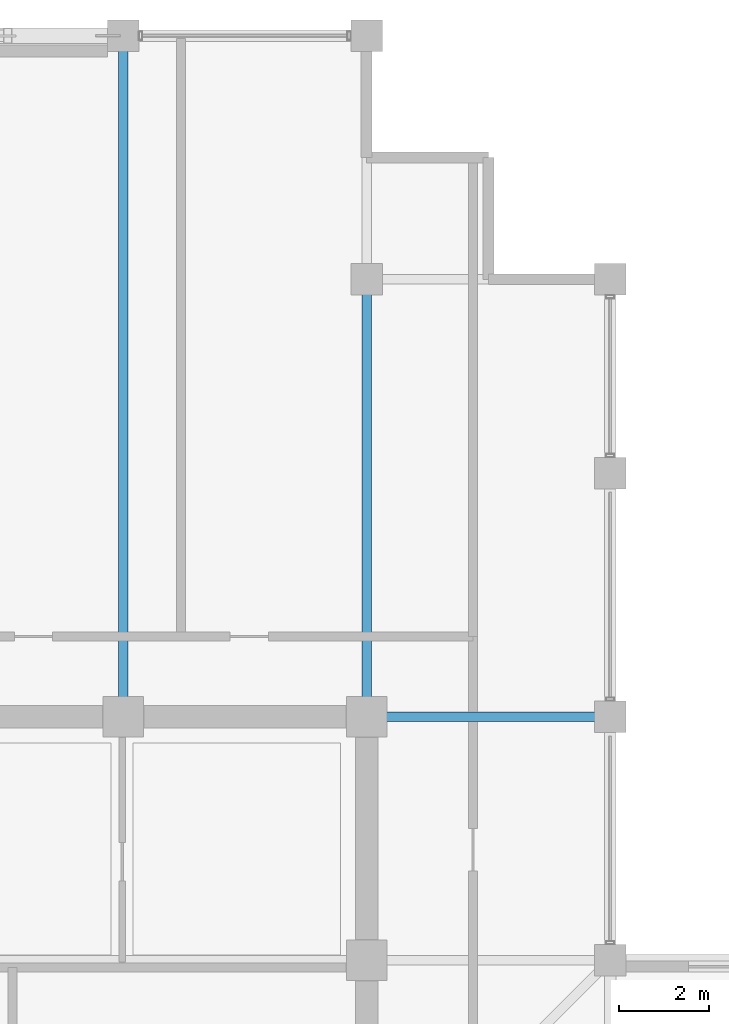
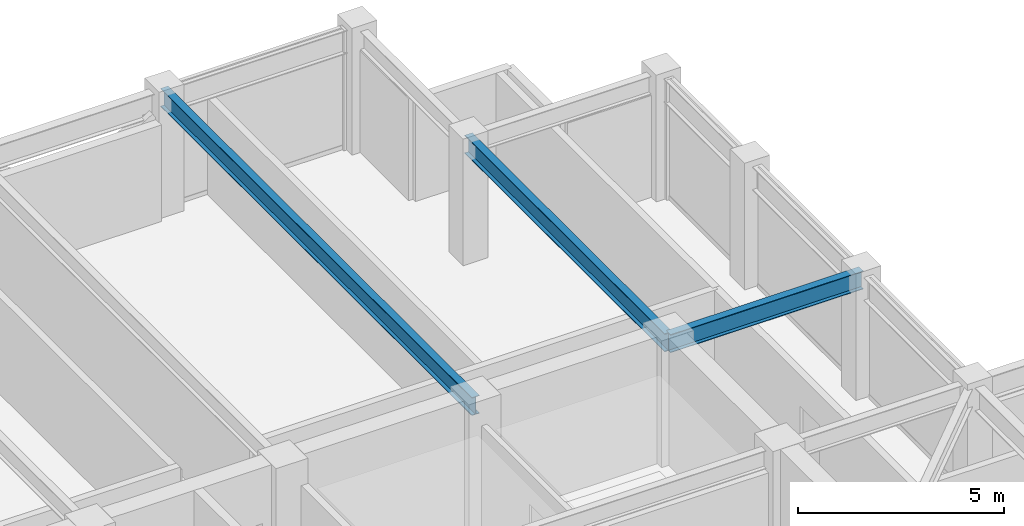
# One storey, part 18 of 30: 3 beams.
"""IFC4 building model written with IfcOpenShell, lengths in metres."""

from ifc_helpers import new_model, si_unit, direction, frame, origin, origin_2d, place, context, subcontext, project, spatial, i_section, extrude, material, material_profile, profile_set, type_object, element, save


model = new_model("IFC4")

# Units and contexts
model_context = context("Model", 3, precision=1e-05, world=origin(), true_north=direction((0.0, 1.0)))
body_context = subcontext(model_context, "Body", "Model", "MODEL_VIEW")
ifc_project = project(units=[si_unit("LENGTHUNIT", "METRE"), si_unit("AREAUNIT", "SQUARE_METRE"), si_unit("VOLUMEUNIT", "CUBIC_METRE"), si_unit("PLANEANGLEUNIT", "RADIAN"), si_unit("MASSUNIT", "GRAM", prefix="KILO")], contexts=[model_context])

# Site, building, storey
site_placement = place(None, origin())
site = spatial("IfcSite", under=ifc_project, at=site_placement, CompositionType="ELEMENT")
building_placement = place(site_placement, origin())
building = spatial("IfcBuilding", under=site, at=building_placement, Name="Surkhivell Harbour Commons", CompositionType="ELEMENT")
storey_placement = place(building_placement, frame((0.0, 0.0, 307.5)))
storey = spatial("IfcBuildingStorey", under=building, at=storey_placement, Name="L80", CompositionType="ELEMENT", Elevation=307.5)

# Beams
ifc_material = material(Name="Steel S355", Category="steel")
ifc_material_profile = material_profile(ifc_material, i_section(OverallWidth=0.2099609375, OverallDepth=0.537109375, WebThickness=0.0107421875, FlangeThickness=0.017333984375, at=origin_2d()), Name="UB533x210x101")
ifc_profile_set = profile_set([ifc_material_profile], Name="Steel S355")
beam_type = type_object("IfcBeamType", Name="BM-GRD-533B", PredefinedType="BEAM", material=ifc_profile_set)
beam_1_placement = place(storey_placement, frame((5.39990234375, 10.800048828125, 3.301513671875), z_axis=(0.0, 1.0, 0.0), x_axis=(-1.0, 0.0, 0.0)))
element("IfcBeam", 1, at=beam_1_placement, inside=storey, type_object=beam_type, Name="L80 Floor Girder (5.4,10.8)", PredefinedType="BEAM", context=body_context, shape_type="SweptSolid", body=[
    extrude(i_section(OverallWidth=0.2099609375, OverallDepth=0.537109375, WebThickness=0.0107421875, FlangeThickness=0.017333984375, at=origin_2d()), origin(), (0.0, 0.0, 1.0), 15.099853515625),
])
beam_2_placement = place(storey_placement, frame((10.800048828125, 10.800048828125, 3.301513671875), z_axis=(0.0, 1.0, 0.0), x_axis=(-1.0, 0.0, 0.0)))
element("IfcBeam", 2, at=beam_2_placement, inside=storey, type_object=beam_type, Name="L80 Floor Girder (10.8,10.8)", PredefinedType="BEAM", context=body_context, shape_type="SweptSolid", body=[
    extrude(i_section(OverallWidth=0.2099609375, OverallDepth=0.537109375, WebThickness=0.0107421875, FlangeThickness=0.017333984375, at=origin_2d()), origin(), (0.0, 0.0, 1.0), 9.699951171875),
])
beam_3_placement = place(storey_placement, frame((10.800048828125, 10.800048828125, 3.301513671875), z_axis=(1.0, 0.0, 0.0), x_axis=(0.0, 1.0, 0.0)))
element("IfcBeam", 3, at=beam_3_placement, inside=storey, type_object=beam_type, Name="L80 Floor Girder (10.8,10.8)", PredefinedType="BEAM", context=body_context, shape_type="SweptSolid", body=[
    extrude(i_section(OverallWidth=0.2099609375, OverallDepth=0.537109375, WebThickness=0.0107421875, FlangeThickness=0.017333984375, at=origin_2d()), origin(), (0.0, 0.0, 1.0), 5.39990234375),
])

save(model, "model.ifc")
